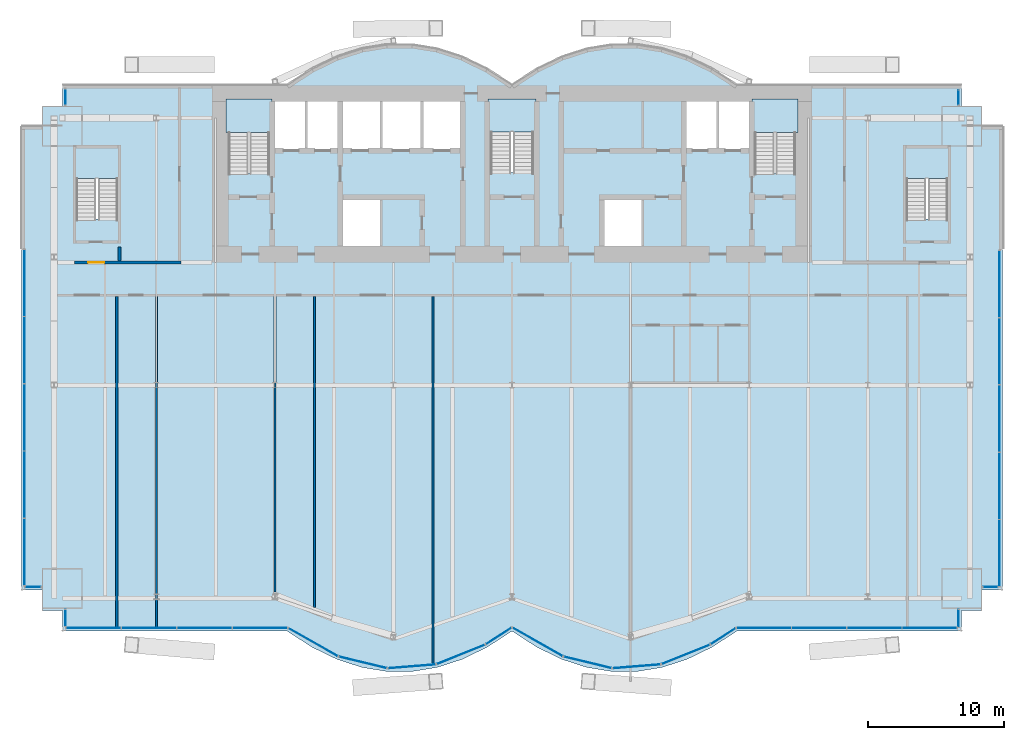
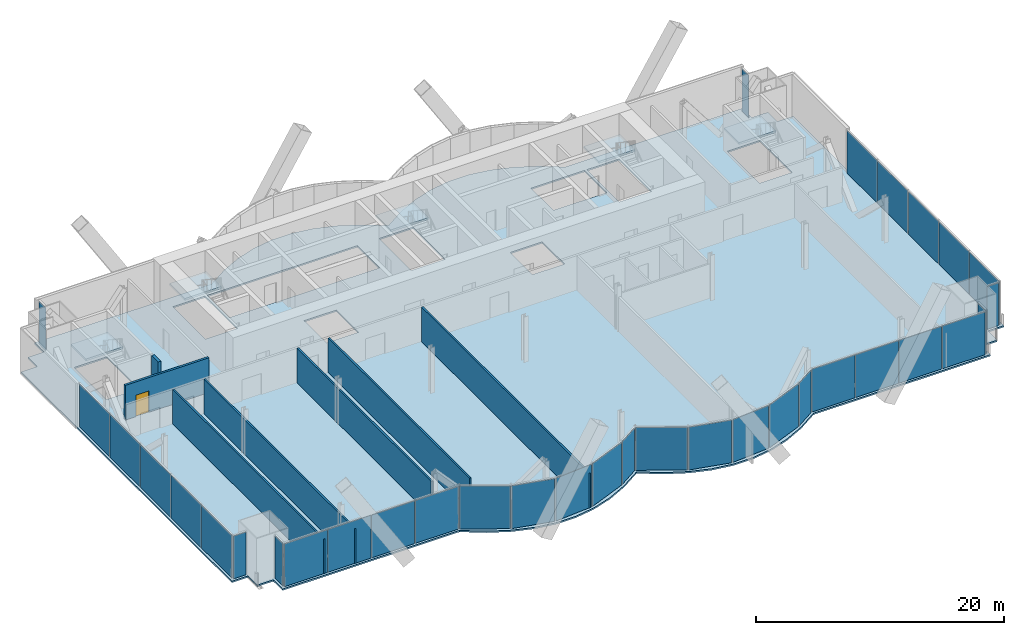
# One storey, part 15 of 22: 34 plates, 7 walls, 6 slabs, 1 door, 1 opening, 17 elements without a shape of their own.
"""IFC4 building model written with IfcOpenShell, lengths in metres."""

from ifc_helpers import new_model, si_unit, direction, frame, frame_2d, origin, origin_2d, place, context, subcontext, project, spatial, polyline, rectangle, outline, extrude, material, layer, layer_set, type_object, element, fill, aggregate, save


model = new_model("IFC4")

# Units and contexts
model_context = context("Model", 3, precision=1e-05, world=origin(), true_north=direction((0.0, 1.0)))
body_context = subcontext(model_context, "Body", "Model", "MODEL_VIEW")
ifc_project = project(units=[si_unit("LENGTHUNIT", "METRE"), si_unit("AREAUNIT", "SQUARE_METRE"), si_unit("VOLUMEUNIT", "CUBIC_METRE"), si_unit("PLANEANGLEUNIT", "RADIAN"), si_unit("MASSUNIT", "GRAM", prefix="KILO")], contexts=[model_context])

# Site, building, storey
site_placement = place(None, origin())
site = spatial("IfcSite", under=ifc_project, at=site_placement, CompositionType="ELEMENT")
building_placement = place(site_placement, origin())
building = spatial("IfcBuilding", under=site, at=building_placement, Name="Bicima Exchange Tower", CompositionType="ELEMENT")
storey_placement = place(building_placement, frame((0.0, 0.0, 71.0)))
storey = spatial("IfcBuildingStorey", under=building, at=storey_placement, Name="L14", CompositionType="ELEMENT", Elevation=71.0)

# Slab
ifc_material_1 = material(Name="Concrete C40/50", Category="concrete")
ifc_layer_1 = layer(ifc_material_1, 0.14990234375)
ifc_layer_set_1 = layer_set([ifc_layer_1], Name="Concrete C40/50")
slab_type_1 = type_object("IfcSlabType", Name="Composite floor slab 150", PredefinedType="FLOOR", material=ifc_layer_set_1)
slab_1_placement = place(storey_placement, frame((0.0, 0.0, -0.14990234375)))
element("IfcSlab", 1, at=slab_1_placement, inside=storey, type_object=slab_type_1, Name="Floor slab", PredefinedType="FLOOR", context=body_context, shape_type="SweptSolid", body=[
    extrude(outline(polyline([(-36.0, -37.048095703125), (-36.0, -3.0), (-34.5, -3.0), (-34.5, -1.5), (-33.0, -1.5), (-33.0, 0.0), (-16.5, 0.0), (-14.666748046875, 1.185302734375), (-12.833251953125, 2.07421875), (-11.0, 2.666748046875), (-9.166748046875, 2.962890625), (-7.333251953125, 2.962890625), (-5.5, 2.666748046875), (-3.666748046875, 2.07421875), (-1.833251953125, 1.185302734375), (0.0, 0.0), (1.833251953125, 1.185302734375), (3.666748046875, 2.07421875), (5.5, 2.666748046875), (7.333251953125, 2.962890625), (9.166748046875, 2.962890625), (11.0, 2.666748046875), (12.833251953125, 2.07421875), (14.666748046875, 1.185302734375), (16.5, 0.0), (33.0, 0.0), (33.0, -1.5), (34.5, -1.5), (34.5, -3.0), (36.0, -3.0), (36.0, -37.048095703125), (34.5, -37.048095703125), (34.5, -38.548095703125), (33.0, -38.548095703125), (33.0, -40.048095703125), (16.5, -40.048095703125), (14.666748046875, -41.233154296875), (12.833251953125, -42.1220703125), (11.0, -42.714599609375), (9.166748046875, -43.010986328125), (7.333251953125, -43.010986328125), (5.5, -42.714599609375), (3.666748046875, -42.1220703125), (1.833251953125, -41.233154296875), (0.0, -40.048095703125), (-1.833251953125, -41.233154296875), (-3.666748046875, -42.1220703125), (-5.5, -42.714599609375), (-7.333251953125, -43.010986328125), (-9.166748046875, -43.010986328125), (-11.0, -42.714599609375), (-12.833251953125, -42.1220703125), (-14.666748046875, -41.233154296875), (-16.5, -40.048095703125), (-33.0, -40.048095703125), (-33.0, -38.548095703125), (-34.5, -38.548095703125), (-34.5, -37.048095703125), (-36.0, -37.048095703125)]), holes=[polyline([(-9.60009765625, -11.800048828125), (-9.60009765625, -8.199951171875), (-12.60009765625, -8.199951171875), (-12.60009765625, -11.800048828125), (-9.60009765625, -11.800048828125)]), polyline([(-31.97509765625, -9.824951171875), (-28.925048828125, -9.824951171875), (-28.925048828125, -4.625), (-31.97509765625, -4.625), (-31.97509765625, -9.824951171875)]), polyline([(-20.800048828125, -6.449951171875), (-17.800048828125, -6.449951171875), (-17.800048828125, -1.199951171875), (-20.800048828125, -1.199951171875), (-20.800048828125, -6.449951171875)]), polyline([(-9.60009765625, -1.199951171875), (-12.60009765625, -1.199951171875), (-15.10009765625, -1.199951171875), (-17.60009765625, -1.199951171875), (-17.60009765625, -4.800048828125), (-15.10009765625, -4.800048828125), (-12.60009765625, -4.800048828125), (-9.60009765625, -4.800048828125), (-6.60009765625, -4.800048828125), (-3.60009765625, -4.800048828125), (-3.60009765625, -1.199951171875), (-6.60009765625, -1.199951171875), (-9.60009765625, -1.199951171875)]), polyline([(9.60009765625, -11.800048828125), (9.60009765625, -8.199951171875), (6.60009765625, -8.199951171875), (6.60009765625, -11.800048828125), (9.60009765625, -11.800048828125)]), polyline([(28.925048828125, -9.824951171875), (31.97509765625, -9.824951171875), (31.97509765625, -4.625), (28.925048828125, -4.625), (28.925048828125, -9.824951171875)]), polyline([(17.800048828125, -6.449951171875), (20.800048828125, -6.449951171875), (20.800048828125, -1.199951171875), (17.800048828125, -1.199951171875), (17.800048828125, -6.449951171875)]), polyline([(-1.574951171875, -6.39990234375), (1.574951171875, -6.39990234375), (1.574951171875, -1.199951171875), (-1.574951171875, -1.199951171875), (-1.574951171875, -6.39990234375)]), polyline([(17.60009765625, -4.800048828125), (17.60009765625, -1.199951171875), (15.10009765625, -1.199951171875), (12.60009765625, -1.199951171875), (12.60009765625, -4.800048828125), (15.10009765625, -4.800048828125), (17.60009765625, -4.800048828125)])]), origin(), (0.0, 0.0, 1.0), 0.14990234375),
])

# Curtain wall, plates
ifc_material_2 = material(Name="Anodised bronze aluminium", Category="aluminium")
curtain_wall_type_1 = type_object("IfcCurtainWallType", Name="End face glass wall", PredefinedType="NOTDEFINED", material=ifc_material_2)
curtain_wall_1_placement = place(storey_placement, origin())
curtain_wall_1 = element("IfcCurtainWall", 2, at=curtain_wall_1_placement, inside=storey, type_object=curtain_wall_type_1, Name="End face glass wall L14 run 2", PredefinedType="NOTDEFINED")
ifc_material_3 = material(Name="Bronze tinted glass", Category="glass")
ifc_layer_2 = layer(ifc_material_3, 0.031982421875)
ifc_layer_set_2 = layer_set([ifc_layer_2], Name="Bronze tinted glass")
plate_type_1 = type_object("IfcPlateType", Name="End face glass wall glass panel 32", PredefinedType="CURTAIN_PANEL", material=ifc_layer_set_2)
plate_1_placement = place(storey_placement, frame((-35.77001953125, -19.433349609375, 0.0), z_axis=(0.0, 0.0, 1.0), x_axis=(0.0, -1.0, 0.0)))
plate_1 = element("IfcPlate", 3, at=plate_1_placement, type_object=plate_type_1, Name="End face glass wall panel 2.1", PredefinedType="CURTAIN_PANEL", context=body_context, shape_type="SweptSolid", body=[
    extrude(rectangle(XDim=4.87548828125, YDim=0.031982421875, at=origin_2d()), origin(), (0.0, 0.0, 1.0), 4.2099609375),
])
plate_2_placement = place(storey_placement, frame((-35.77001953125, -34.240234375, 0.0), z_axis=(0.0, 0.0, 1.0), x_axis=(0.0, -1.0, 0.0)))
plate_2 = element("IfcPlate", 4, at=plate_2_placement, type_object=plate_type_1, Name="End face glass wall panel 5.1", PredefinedType="CURTAIN_PANEL", context=body_context, shape_type="SweptSolid", body=[
    extrude(rectangle(XDim=4.87548828125, YDim=0.031982421875, at=origin_2d()), origin(), (0.0, 0.0, 1.0), 4.2099609375),
])

curtain_wall_2_placement = place(storey_placement, origin())
curtain_wall_2 = element("IfcCurtainWall", 5, at=curtain_wall_2_placement, inside=storey, type_object=curtain_wall_type_1, Name="End face glass wall L14 run 19", PredefinedType="NOTDEFINED")
plate_3_placement = place(storey_placement, frame((35.77001953125, -34.3203125, 0.0), z_axis=(0.0, 0.0, 1.0), x_axis=(0.0, 1.0, 0.0)))
plate_3 = element("IfcPlate", 6, at=plate_3_placement, type_object=plate_type_1, Name="End face glass wall panel 1.1", PredefinedType="CURTAIN_PANEL", context=body_context, shape_type="SweptSolid", body=[
    extrude(rectangle(XDim=4.87548828125, YDim=0.031982421875, at=origin_2d()), origin(), (0.0, 0.0, 1.0), 4.2099609375),
])
plate_4_placement = place(storey_placement, frame((35.77001953125, -19.513427734375, 0.0), z_axis=(0.0, 0.0, 1.0), x_axis=(0.0, 1.0, 0.0)))
plate_4 = element("IfcPlate", 7, at=plate_4_placement, type_object=plate_type_1, Name="End face glass wall panel 4.1", PredefinedType="CURTAIN_PANEL", context=body_context, shape_type="SweptSolid", body=[
    extrude(rectangle(XDim=4.87548828125, YDim=0.031982421875, at=origin_2d()), origin(), (0.0, 0.0, 1.0), 4.2099609375),
])

# Plate
ifc_material_4 = material(Name="Bronze anodised aluminium", Category="aluminium")
ifc_layer_3 = layer(ifc_material_4, 0.031982421875)
ifc_layer_set_3 = layer_set([ifc_layer_3], Name="Bronze anodised aluminium")
plate_type_2 = type_object("IfcPlateType", Name="End face glass wall spandrel panel 32", PredefinedType="CURTAIN_PANEL", material=ifc_layer_set_3)
plate_5_placement = place(storey_placement, frame((-35.77001953125, -14.497802734375, 0.0), z_axis=(0.0, 0.0, 1.0), x_axis=(0.0, -1.0, 0.0)))
plate_5 = element("IfcPlate", 8, at=plate_5_placement, type_object=plate_type_2, Name="End face spandrel wall panel 1.1", PredefinedType="CURTAIN_PANEL", context=body_context, shape_type="SweptSolid", body=[
    extrude(rectangle(XDim=4.87548828125, YDim=0.031982421875, at=origin_2d()), origin(), (0.0, 0.0, 1.0), 4.2099609375),
])

plate_6_placement = place(storey_placement, frame((-35.77001953125, -24.368896484375, 0.0), z_axis=(0.0, 0.0, 1.0), x_axis=(0.0, -1.0, 0.0)))
plate_6 = element("IfcPlate", 9, at=plate_6_placement, type_object=plate_type_2, Name="End face spandrel wall panel 3.1", PredefinedType="CURTAIN_PANEL", context=body_context, shape_type="SweptSolid", body=[
    extrude(rectangle(XDim=4.87548828125, YDim=0.031982421875, at=origin_2d()), origin(), (0.0, 0.0, 1.0), 4.2099609375),
])

plate_7_placement = place(storey_placement, frame((-35.77001953125, -29.3046875, 0.0), z_axis=(0.0, 0.0, 1.0), x_axis=(0.0, -1.0, 0.0)))
plate_7 = element("IfcPlate", 10, at=plate_7_placement, type_object=plate_type_2, Name="End face spandrel wall panel 4.1", PredefinedType="CURTAIN_PANEL", context=body_context, shape_type="SweptSolid", body=[
    extrude(rectangle(XDim=4.87548828125, YDim=0.031982421875, at=origin_2d()), origin(), (0.0, 0.0, 1.0), 4.2099609375),
])

aggregate(curtain_wall_1, [plate_5, plate_1, plate_6, plate_7, plate_2])

plate_8_placement = place(storey_placement, frame((35.77001953125, -29.384521484375, 0.0), z_axis=(0.0, 0.0, 1.0), x_axis=(0.0, 1.0, 0.0)))
plate_8 = element("IfcPlate", 11, at=plate_8_placement, type_object=plate_type_2, Name="End face spandrel wall panel 2.1", PredefinedType="CURTAIN_PANEL", context=body_context, shape_type="SweptSolid", body=[
    extrude(rectangle(XDim=4.87548828125, YDim=0.031982421875, at=origin_2d()), origin(), (0.0, 0.0, 1.0), 4.2099609375),
])

plate_9_placement = place(storey_placement, frame((35.77001953125, -24.448974609375, 0.0), z_axis=(0.0, 0.0, 1.0), x_axis=(0.0, 1.0, 0.0)))
plate_9 = element("IfcPlate", 12, at=plate_9_placement, type_object=plate_type_2, Name="End face spandrel wall panel 3.1", PredefinedType="CURTAIN_PANEL", context=body_context, shape_type="SweptSolid", body=[
    extrude(rectangle(XDim=4.87548828125, YDim=0.031982421875, at=origin_2d()), origin(), (0.0, 0.0, 1.0), 4.2099609375),
])

plate_10_placement = place(storey_placement, frame((35.77001953125, -14.577880859375, 0.0), z_axis=(0.0, 0.0, 1.0), x_axis=(0.0, 1.0, 0.0)))
plate_10 = element("IfcPlate", 13, at=plate_10_placement, type_object=plate_type_2, Name="End face spandrel wall panel 5.1", PredefinedType="CURTAIN_PANEL", context=body_context, shape_type="SweptSolid", body=[
    extrude(rectangle(XDim=4.87548828125, YDim=0.031982421875, at=origin_2d()), origin(), (0.0, 0.0, 1.0), 4.2099609375),
])

aggregate(curtain_wall_2, [plate_3, plate_8, plate_9, plate_4, plate_10])

# Curtain wall, plate
curtain_wall_type_2 = type_object("IfcCurtainWallType", Name="Front glass wall", PredefinedType="NOTDEFINED", material=ifc_material_2)
curtain_wall_3_placement = place(storey_placement, origin())
curtain_wall_3 = element("IfcCurtainWall", 14, at=curtain_wall_3_placement, inside=storey, type_object=curtain_wall_type_2, Name="Front glass wall L14 run 1", PredefinedType="NOTDEFINED")
ifc_layer_4 = layer(ifc_material_3, 0.031982421875)
ifc_layer_set_4 = layer_set([ifc_layer_4], Name="Bronze tinted glass")
plate_type_3 = type_object("IfcPlateType", Name="Front glass wall glass panel 32", PredefinedType="CURTAIN_PANEL", material=ifc_layer_set_4)
plate_11_placement = place(storey_placement, frame((-32.77001953125, -0.864990234375, 0.0), z_axis=(0.0, 0.0, 1.0), x_axis=(0.0, -1.0, 0.0)))
plate_11 = element("IfcPlate", 15, at=plate_11_placement, type_object=plate_type_3, Name="Front glass wall panel 1.1", PredefinedType="CURTAIN_PANEL", context=body_context, shape_type="SweptSolid", body=[
    extrude(rectangle(XDim=1.14990234375, YDim=0.031982421875, at=origin_2d()), origin(), (0.0, 0.0, 1.0), 4.2099609375),
])
aggregate(curtain_wall_3, [plate_11])

curtain_wall_4_placement = place(storey_placement, origin())
curtain_wall_4 = element("IfcCurtainWall", 16, at=curtain_wall_4_placement, inside=storey, type_object=curtain_wall_type_2, Name="Front glass wall L14 run 3", PredefinedType="NOTDEFINED")
plate_12_placement = place(storey_placement, frame((-35.135009765625, -36.818115234375, 0.0), z_axis=(0.0, 0.0, 1.0), x_axis=(1.0, 0.0, 0.0)))
plate_12 = element("IfcPlate", 17, at=plate_12_placement, type_object=plate_type_3, Name="Front glass wall panel 1.1", PredefinedType="CURTAIN_PANEL", context=body_context, shape_type="SweptSolid", body=[
    extrude(rectangle(XDim=1.14990234375, YDim=0.031982421875, at=origin_2d()), origin(), (0.0, 0.0, 1.0), 4.2099609375),
])
aggregate(curtain_wall_4, [plate_12])

curtain_wall_5_placement = place(storey_placement, origin())
curtain_wall_5 = element("IfcCurtainWall", 18, at=curtain_wall_5_placement, inside=storey, type_object=curtain_wall_type_2, Name="Front glass wall L14 run 4", PredefinedType="NOTDEFINED")
plate_13_placement = place(storey_placement, frame((-32.77001953125, -39.08203125, 0.0), z_axis=(0.0, 0.0, 1.0), x_axis=(0.0, -1.0, 0.0)))
plate_13 = element("IfcPlate", 19, at=plate_13_placement, type_object=plate_type_3, Name="Front glass wall panel 1.1", PredefinedType="CURTAIN_PANEL", context=body_context, shape_type="SweptSolid", body=[
    extrude(rectangle(XDim=1.19189453125, YDim=0.031982421875, at=origin_2d()), origin(), (0.0, 0.0, 1.0), 4.2099609375),
])
aggregate(curtain_wall_5, [plate_13])

# Curtain wall, plates
curtain_wall_6_placement = place(storey_placement, origin())
curtain_wall_6 = element("IfcCurtainWall", 20, at=curtain_wall_6_placement, inside=storey, type_object=curtain_wall_type_2, Name="Front glass wall L14 run 5", PredefinedType="NOTDEFINED")
plate_14_placement = place(storey_placement, frame((-30.705322265625, -39.818115234375, 0.0), z_axis=(0.0, 0.0, 1.0), x_axis=(1.0, 0.0, 0.0)))
plate_14 = element("IfcPlate", 21, at=plate_14_placement, type_object=plate_type_3, Name="Front glass wall panel 1.1", PredefinedType="CURTAIN_PANEL", context=body_context, shape_type="SweptSolid", body=[
    extrude(rectangle(XDim=4.009521484375, YDim=0.031982421875, at=origin_2d()), origin(), (0.0, 0.0, 1.0), 4.2099609375),
])
plate_15_placement = place(storey_placement, frame((-18.496826171875, -39.818115234375, 0.0), z_axis=(0.0, 0.0, 1.0), x_axis=(1.0, 0.0, 0.0)))
plate_15 = element("IfcPlate", 22, at=plate_15_placement, type_object=plate_type_3, Name="Front glass wall panel 4.1", PredefinedType="CURTAIN_PANEL", context=body_context, shape_type="SweptSolid", body=[
    extrude(rectangle(XDim=4.009521484375, YDim=0.031982421875, at=origin_2d()), origin(), (0.0, 0.0, 1.0), 4.2099609375),
])

curtain_wall_7_placement = place(storey_placement, origin())
curtain_wall_7 = element("IfcCurtainWall", 23, at=curtain_wall_7_placement, inside=storey, type_object=curtain_wall_type_2, Name="Front glass wall L14 run 6", PredefinedType="NOTDEFINED")
plate_16_placement = place(storey_placement, frame((-14.589599609375, -40.863037109375, 0.0), z_axis=(0.0, 0.0, 1.0), x_axis=(0.869805110681, -0.493395449343, 0.0)))
plate_16 = element("IfcPlate", 24, at=plate_16_placement, type_object=plate_type_3, Name="Front glass wall panel 1.1", PredefinedType="CURTAIN_PANEL", context=body_context, shape_type="SweptSolid", body=[
    extrude(rectangle(XDim=4.1162109375, YDim=0.031982421875, at=origin_2d()), origin(), (0.0, 0.0, 1.0), 4.2099609375),
])
plate_17_placement = place(storey_placement, frame((-3.750244140625, -41.761474609375, 0.0), z_axis=(0.0, 0.0, 1.0), x_axis=(0.92714396679, 0.374705304, 0.0)))
plate_17 = element("IfcPlate", 25, at=plate_17_placement, type_object=plate_type_3, Name="Front glass wall panel 1.1", PredefinedType="CURTAIN_PANEL", context=body_context, shape_type="SweptSolid", body=[
    extrude(rectangle(XDim=3.771240234375, YDim=0.031982421875, at=origin_2d()), origin(), (0.0, 0.0, 1.0), 4.2099609375),
])
plate_18_placement = place(storey_placement, frame((-0.97314453125, -40.4033203125, 0.0), z_axis=(0.0, 0.0, 1.0), x_axis=(0.839798994301, 0.542897457326, 0.0)))
plate_18 = element("IfcPlate", 26, at=plate_18_placement, type_object=plate_type_3, Name="Front glass wall panel 1.1", PredefinedType="CURTAIN_PANEL", context=body_context, shape_type="SweptSolid", body=[
    extrude(rectangle(XDim=2.197509765625, YDim=0.031982421875, at=origin_2d()), origin(), (0.0, 0.0, 1.0), 4.2099609375),
])

curtain_wall_8_placement = place(storey_placement, origin())
curtain_wall_8 = element("IfcCurtainWall", 27, at=curtain_wall_8_placement, inside=storey, type_object=curtain_wall_type_2, Name="Front glass wall L14 run 11", PredefinedType="NOTDEFINED")
plate_19_placement = place(storey_placement, frame((1.876220703125, -40.84130859375, 0.0), z_axis=(0.0, 0.0, 1.0), x_axis=(0.869274147378, -0.494330311331, 0.0)))
plate_19 = element("IfcPlate", 28, at=plate_19_placement, type_object=plate_type_3, Name="Front glass wall panel 1.1", PredefinedType="CURTAIN_PANEL", context=body_context, shape_type="SweptSolid", body=[
    extrude(rectangle(XDim=4.197021484375, YDim=0.031982421875, at=origin_2d()), origin(), (0.0, 0.0, 1.0), 4.2099609375),
])
plate_20_placement = place(storey_placement, frame((5.55224609375, -42.344482421875, 0.0), z_axis=(0.0, 0.0, 1.0), x_axis=(0.971830343553, -0.235681529503, 0.0)))
plate_20 = element("IfcPlate", 29, at=plate_20_placement, type_object=plate_type_3, Name="Front glass wall panel 1.1", PredefinedType="CURTAIN_PANEL", context=body_context, shape_type="SweptSolid", body=[
    extrude(rectangle(XDim=3.583251953125, YDim=0.031982421875, at=origin_2d()), origin(), (0.0, 0.0, 1.0), 4.2099609375),
])
plate_21_placement = place(storey_placement, frame((15.492919921875, -40.42529296875, 0.0), z_axis=(0.0, 0.0, 1.0), x_axis=(0.839791413941, 0.542909183079, 0.0)))
plate_21 = element("IfcPlate", 30, at=plate_21_placement, type_object=plate_type_3, Name="Front glass wall panel 1.1", PredefinedType="CURTAIN_PANEL", context=body_context, shape_type="SweptSolid", body=[
    extrude(rectangle(XDim=2.11669921875, YDim=0.031982421875, at=origin_2d()), origin(), (0.0, 0.0, 1.0), 4.2099609375),
])

curtain_wall_9_placement = place(storey_placement, origin())
curtain_wall_9 = element("IfcCurtainWall", 31, at=curtain_wall_9_placement, inside=storey, type_object=curtain_wall_type_2, Name="Front glass wall L14 run 16", PredefinedType="NOTDEFINED")
plate_22_placement = place(storey_placement, frame((18.48681640625, -39.818115234375, 0.0), z_axis=(0.0, 0.0, 1.0), x_axis=(1.0, 0.0, 0.0)))
plate_22 = element("IfcPlate", 32, at=plate_22_placement, type_object=plate_type_3, Name="Front glass wall panel 1.1", PredefinedType="CURTAIN_PANEL", context=body_context, shape_type="SweptSolid", body=[
    extrude(rectangle(XDim=3.989501953125, YDim=0.031982421875, at=origin_2d()), origin(), (0.0, 0.0, 1.0), 4.2099609375),
])
plate_23_placement = place(storey_placement, frame((30.63525390625, -39.818115234375, 0.0), z_axis=(0.0, 0.0, 1.0), x_axis=(1.0, 0.0, 0.0)))
plate_23 = element("IfcPlate", 33, at=plate_23_placement, type_object=plate_type_3, Name="Front glass wall panel 4.1", PredefinedType="CURTAIN_PANEL", context=body_context, shape_type="SweptSolid", body=[
    extrude(rectangle(XDim=3.989501953125, YDim=0.031982421875, at=origin_2d()), origin(), (0.0, 0.0, 1.0), 4.2099609375),
])

# Curtain wall, plate
curtain_wall_10_placement = place(storey_placement, origin())
curtain_wall_10 = element("IfcCurtainWall", 34, at=curtain_wall_10_placement, inside=storey, type_object=curtain_wall_type_2, Name="Front glass wall L14 run 17", PredefinedType="NOTDEFINED")
plate_24_placement = place(storey_placement, frame((32.77001953125, -39.1220703125, 0.0), z_axis=(0.0, 0.0, 1.0), x_axis=(0.0, 1.0, 0.0)))
plate_24 = element("IfcPlate", 35, at=plate_24_placement, type_object=plate_type_3, Name="Front glass wall panel 1.1", PredefinedType="CURTAIN_PANEL", context=body_context, shape_type="SweptSolid", body=[
    extrude(rectangle(XDim=1.27197265625, YDim=0.031982421875, at=origin_2d()), origin(), (0.0, 0.0, 1.0), 4.2099609375),
])
aggregate(curtain_wall_10, [plate_24])

curtain_wall_11_placement = place(storey_placement, origin())
curtain_wall_11 = element("IfcCurtainWall", 36, at=curtain_wall_11_placement, inside=storey, type_object=curtain_wall_type_2, Name="Front glass wall L14 run 18", PredefinedType="NOTDEFINED")
plate_25_placement = place(storey_placement, frame((35.094970703125, -36.818115234375, 0.0), z_axis=(0.0, 0.0, 1.0), x_axis=(1.0, 0.0, 0.0)))
plate_25 = element("IfcPlate", 37, at=plate_25_placement, type_object=plate_type_3, Name="Front glass wall panel 1.1", PredefinedType="CURTAIN_PANEL", context=body_context, shape_type="SweptSolid", body=[
    extrude(rectangle(XDim=1.070068359375, YDim=0.031982421875, at=origin_2d()), origin(), (0.0, 0.0, 1.0), 4.2099609375),
])
aggregate(curtain_wall_11, [plate_25])

curtain_wall_12_placement = place(storey_placement, origin())
curtain_wall_12 = element("IfcCurtainWall", 38, at=curtain_wall_12_placement, inside=storey, type_object=curtain_wall_type_2, Name="Front glass wall L14 run 20", PredefinedType="NOTDEFINED")
plate_26_placement = place(storey_placement, frame((32.77001953125, -0.905029296875, 0.0), z_axis=(0.0, 0.0, 1.0), x_axis=(0.0, 1.0, 0.0)))
plate_26 = element("IfcPlate", 39, at=plate_26_placement, type_object=plate_type_3, Name="Front glass wall panel 1.1", PredefinedType="CURTAIN_PANEL", context=body_context, shape_type="SweptSolid", body=[
    extrude(rectangle(XDim=1.070068359375, YDim=0.031982421875, at=origin_2d()), origin(), (0.0, 0.0, 1.0), 4.2099609375),
])
aggregate(curtain_wall_12, [plate_26])

# Plate
ifc_layer_5 = layer(ifc_material_4, 0.031982421875)
ifc_layer_set_5 = layer_set([ifc_layer_5], Name="Bronze anodised aluminium")
plate_type_4 = type_object("IfcPlateType", Name="Front glass wall spandrel panel 32", PredefinedType="CURTAIN_PANEL", material=ifc_layer_set_5)
plate_27_placement = place(storey_placement, frame((-26.6357421875, -39.818115234375, 0.0), z_axis=(0.0, 0.0, 1.0), x_axis=(1.0, 0.0, 0.0)))
plate_27 = element("IfcPlate", 40, at=plate_27_placement, type_object=plate_type_4, Name="Front spandrel wall panel 2.1", PredefinedType="CURTAIN_PANEL", context=body_context, shape_type="SweptSolid", body=[
    extrude(rectangle(XDim=4.009521484375, YDim=0.031982421875, at=origin_2d()), origin(), (0.0, 0.0, 1.0), 4.2099609375),
])

plate_28_placement = place(storey_placement, frame((-22.56640625, -39.818115234375, 0.0), z_axis=(0.0, 0.0, 1.0), x_axis=(1.0, 0.0, 0.0)))
plate_28 = element("IfcPlate", 41, at=plate_28_placement, type_object=plate_type_4, Name="Front spandrel wall panel 3.1", PredefinedType="CURTAIN_PANEL", context=body_context, shape_type="SweptSolid", body=[
    extrude(rectangle(XDim=4.009521484375, YDim=0.031982421875, at=origin_2d()), origin(), (0.0, 0.0, 1.0), 4.2099609375),
])

aggregate(curtain_wall_6, [plate_14, plate_27, plate_28, plate_15])

plate_29_placement = place(storey_placement, frame((-10.94775390625, -42.344482421875, 0.0), z_axis=(0.0, 0.0, 1.0), x_axis=(0.971830343553, -0.235681529503, 0.0)))
plate_29 = element("IfcPlate", 42, at=plate_29_placement, type_object=plate_type_4, Name="Front spandrel wall panel 1.1", PredefinedType="CURTAIN_PANEL", context=body_context, shape_type="SweptSolid", body=[
    extrude(rectangle(XDim=3.583251953125, YDim=0.031982421875, at=origin_2d()), origin(), (0.0, 0.0, 1.0), 4.2099609375),
])

plate_30_placement = place(storey_placement, frame((-7.35107421875, -42.6357421875, 0.0), z_axis=(0.0, 0.0, 1.0), x_axis=(0.99674744821, 0.080588612633, 0.0)))
plate_30 = element("IfcPlate", 43, at=plate_30_placement, type_object=plate_type_4, Name="Front spandrel wall panel 1.1", PredefinedType="CURTAIN_PANEL", context=body_context, shape_type="SweptSolid", body=[
    extrude(rectangle(XDim=3.486083984375, YDim=0.031982421875, at=origin_2d()), origin(), (0.0, 0.0, 1.0), 4.2099609375),
])

aggregate(curtain_wall_7, [plate_16, plate_29, plate_30, plate_17, plate_18])

plate_31_placement = place(storey_placement, frame((9.14892578125, -42.6357421875, 0.0), z_axis=(0.0, 0.0, 1.0), x_axis=(0.99674744821, 0.080588612633, 0.0)))
plate_31 = element("IfcPlate", 44, at=plate_31_placement, type_object=plate_type_4, Name="Front spandrel wall panel 1.1", PredefinedType="CURTAIN_PANEL", context=body_context, shape_type="SweptSolid", body=[
    extrude(rectangle(XDim=3.486083984375, YDim=0.031982421875, at=origin_2d()), origin(), (0.0, 0.0, 1.0), 4.2099609375),
])

plate_32_placement = place(storey_placement, frame((12.749755859375, -41.761474609375, 0.0), z_axis=(0.0, 0.0, 1.0), x_axis=(0.92714396679, 0.374705304, 0.0)))
plate_32 = element("IfcPlate", 45, at=plate_32_placement, type_object=plate_type_4, Name="Front spandrel wall panel 1.1", PredefinedType="CURTAIN_PANEL", context=body_context, shape_type="SweptSolid", body=[
    extrude(rectangle(XDim=3.771240234375, YDim=0.031982421875, at=origin_2d()), origin(), (0.0, 0.0, 1.0), 4.2099609375),
])

aggregate(curtain_wall_8, [plate_19, plate_20, plate_31, plate_32, plate_21])

plate_33_placement = place(storey_placement, frame((22.536376953125, -39.818115234375, 0.0), z_axis=(0.0, 0.0, 1.0), x_axis=(1.0, 0.0, 0.0)))
plate_33 = element("IfcPlate", 46, at=plate_33_placement, type_object=plate_type_4, Name="Front spandrel wall panel 2.1", PredefinedType="CURTAIN_PANEL", context=body_context, shape_type="SweptSolid", body=[
    extrude(rectangle(XDim=3.989501953125, YDim=0.031982421875, at=origin_2d()), origin(), (0.0, 0.0, 1.0), 4.2099609375),
])

plate_34_placement = place(storey_placement, frame((26.585693359375, -39.818115234375, 0.0), z_axis=(0.0, 0.0, 1.0), x_axis=(1.0, 0.0, 0.0)))
plate_34 = element("IfcPlate", 47, at=plate_34_placement, type_object=plate_type_4, Name="Front spandrel wall panel 3.1", PredefinedType="CURTAIN_PANEL", context=body_context, shape_type="SweptSolid", body=[
    extrude(rectangle(XDim=3.989501953125, YDim=0.031982421875, at=origin_2d()), origin(), (0.0, 0.0, 1.0), 4.2099609375),
])

aggregate(curtain_wall_9, [plate_22, plate_33, plate_34, plate_23])

# Stair, slab
ifc_material_5 = material(Name="Concrete C50/60", Category="concrete")
stair_type_1 = type_object("IfcStairType", Name="Exit stair", PredefinedType="HALF_TURN_STAIR", material=ifc_material_5)
stair_1_placement = place(storey_placement, origin())
stair_1 = element("IfcStair", 48, at=stair_1_placement, inside=storey, type_object=stair_type_1, Name="L14 West exit stair", PredefinedType="HALF_TURN_STAIR")
ifc_layer_6 = layer(ifc_material_5, 0.199951171875)
ifc_layer_set_6 = layer_set([ifc_layer_6], Name="Concrete C50/60")
slab_type_2 = type_object("IfcSlabType", Name="Stair landing slab", PredefinedType="LANDING", material=ifc_layer_set_6)
slab_2_placement = place(storey_placement, frame((0.0, 0.0, 2.050048828125)))
slab_2 = element("IfcSlab", 49, at=slab_2_placement, type_object=slab_type_2, Name="ST-W landing 1", PredefinedType="LANDING", context=body_context, shape_type="SweptSolid", body=[
    extrude(outline(polyline([(-17.60009765625, -3.469970703125), (-17.60009765625, -1.0), (-21.0, -1.0), (-21.0, -3.469970703125), (-17.60009765625, -3.469970703125)])), origin(), (0.0, 0.0, 1.0), 0.199951171875),
])
aggregate(stair_1, [slab_2])

stair_type_2 = type_object("IfcStairType", Name="Exit stair 1500", PredefinedType="HALF_TURN_STAIR", material=ifc_material_5)
stair_2_placement = place(storey_placement, origin())
stair_2 = element("IfcStair", 50, at=stair_2_placement, inside=storey, type_object=stair_type_2, Name="L14 Central exit stair", PredefinedType="HALF_TURN_STAIR")
slab_3_placement = place(storey_placement, frame((0.0, 0.0, 2.050048828125)))
slab_3 = element("IfcSlab", 51, at=slab_3_placement, type_object=slab_type_2, Name="ST-C landing 1", PredefinedType="LANDING", context=body_context, shape_type="SweptSolid", body=[
    extrude(outline(polyline([(1.77490234375, -3.419921875), (1.77490234375, -1.0), (-1.77490234375, -1.0), (-1.77490234375, -3.419921875), (1.77490234375, -3.419921875)])), origin(), (0.0, 0.0, 1.0), 0.199951171875),
])
aggregate(stair_2, [slab_3])

stair_3_placement = place(storey_placement, origin())
stair_3 = element("IfcStair", 52, at=stair_3_placement, inside=storey, type_object=stair_type_1, Name="L14 East exit stair", PredefinedType="HALF_TURN_STAIR")
slab_4_placement = place(storey_placement, frame((0.0, 0.0, 2.050048828125)))
slab_4 = element("IfcSlab", 53, at=slab_4_placement, type_object=slab_type_2, Name="ST-E landing 1", PredefinedType="LANDING", context=body_context, shape_type="SweptSolid", body=[
    extrude(outline(polyline([(21.0, -3.469970703125), (21.0, -1.0), (17.60009765625, -1.0), (17.60009765625, -3.469970703125), (21.0, -3.469970703125)])), origin(), (0.0, 0.0, 1.0), 0.199951171875),
])
aggregate(stair_3, [slab_4])

stair_4_placement = place(storey_placement, origin())
stair_4 = element("IfcStair", 54, at=stair_4_placement, inside=storey, type_object=stair_type_1, Name="L14 West end exit stair", PredefinedType="HALF_TURN_STAIR")
slab_5_placement = place(storey_placement, frame((0.0, 0.0, 2.050048828125)))
slab_5 = element("IfcSlab", 55, at=slab_5_placement, type_object=slab_type_2, Name="ST-WW landing 1", PredefinedType="LANDING", context=body_context, shape_type="SweptSolid", body=[
    extrude(outline(polyline([(-28.72509765625, -6.844970703125), (-28.72509765625, -4.425048828125), (-32.175048828125, -4.425048828125), (-32.175048828125, -6.844970703125), (-28.72509765625, -6.844970703125)])), origin(), (0.0, 0.0, 1.0), 0.199951171875),
])
aggregate(stair_4, [slab_5])

stair_5_placement = place(storey_placement, origin())
stair_5 = element("IfcStair", 56, at=stair_5_placement, inside=storey, type_object=stair_type_1, Name="L14 East end exit stair", PredefinedType="HALF_TURN_STAIR")
slab_6_placement = place(storey_placement, frame((0.0, 0.0, 2.050048828125)))
slab_6 = element("IfcSlab", 57, at=slab_6_placement, type_object=slab_type_2, Name="ST-EE landing 1", PredefinedType="LANDING", context=body_context, shape_type="SweptSolid", body=[
    extrude(outline(polyline([(32.175048828125, -6.844970703125), (32.175048828125, -4.425048828125), (28.72509765625, -4.425048828125), (28.72509765625, -6.844970703125), (32.175048828125, -6.844970703125)])), origin(), (0.0, 0.0, 1.0), 0.199951171875),
])
aggregate(stair_5, [slab_6])

# Wall, opening, door
ifc_material_6 = material(Name="Gypsum board partition")
ifc_layer_7 = layer(ifc_material_6, 0.199951171875)
ifc_layer_set_7 = layer_set([ifc_layer_7], Name="Gypsum board partition")
wall_type_1 = type_object("IfcWallType", Name="Fire-rated gypsum partition 200 EI60", PredefinedType="PARTITIONING", material=ifc_layer_set_7)
wall_1_placement = place(storey_placement, frame((-32.10009765625, -13.0, 0.0), z_axis=(0.0, 0.0, 1.0), x_axis=(1.0, 0.0, 0.0)))
wall_1 = element("IfcWall", 58, at=wall_1_placement, inside=storey, type_object=wall_type_1, Name="partition wall 4", PredefinedType="PARTITIONING", context=body_context, shape_type="SweptSolid", body=[
    extrude(rectangle(XDim=7.800048828125, YDim=0.199951171875, at=frame_2d((3.89990234375, 0.0))), origin(), (0.0, 0.0, 1.0), 3.418212890625),
])
opening_placement = place(wall_1_placement, frame((1.0, 0.0, 0.0)))
opening = element("IfcOpeningElement", 59, at=opening_placement, cuts=wall_1, Name="Opening L14-001", PredefinedType="OPENING", context=body_context, shape_type="SweptSolid", body=[
    extrude(rectangle(XDim=1.199951171875, YDim=2.10009765625, at=frame_2d((0.60009765625, 1.050048828125))), frame((0.0, 0.11181640625, 0.0), z_axis=(0.0, -1.0, 0.0), x_axis=(1.0, 0.0, 0.0)), (0.0, 0.0, 1.0), 0.223876953125),
])
ifc_material_7 = material(Name="Steel fire door leaf", Category="steel")
door_type = type_object("IfcDoorType", Name="Door 1200 swing FD30S", OperationType="SINGLE_SWING_LEFT", PredefinedType="DOOR", material=ifc_material_7)
door_placement = place(opening_placement, origin())
door = element("IfcDoor", 60, at=door_placement, inside=storey, type_object=door_type, Name="Door", OperationType="SINGLE_SWING_LEFT", OverallHeight=2.10009765625, OverallWidth=1.199951171875, PredefinedType="DOOR", context=body_context, shape_type="SweptSolid", body=[
    extrude(rectangle(XDim=1.199951171875, YDim=2.10009765625, at=frame_2d((0.60009765625, 1.050048828125))), frame((0.0, 0.02490234375, 0.0), z_axis=(0.0, -1.0, 0.0), x_axis=(1.0, 0.0, 0.0)), (0.0, 0.0, 1.0), 0.050048828125),
])
fill(opening, door)

# Walls
ifc_layer_8 = layer(ifc_material_6, 0.14990234375)
ifc_layer_set_8 = layer_set([ifc_layer_8], Name="Gypsum board partition")
wall_type_2 = type_object("IfcWallType", Name="Gypsum partition 150", PredefinedType="PARTITIONING", material=ifc_layer_set_8)
for number, where, z_axis, x_axis, name in (
    (61, (-29.0, -39.840087890625, 0.0), (0.0, 0.0, 1.0), (0.0, 1.0, 0.0), "partition wall 13"),
    (62, (-26.10009765625, -39.840087890625, 0.0), (0.0, 0.0, 1.0), (0.0, 1.0, 0.0), "partition wall 15"),
):
    element("IfcWall", number, at=place(storey_placement, frame(where, z_axis=z_axis, x_axis=x_axis)), inside=storey, type_object=wall_type_2, Name=name, PredefinedType="PARTITIONING", context=body_context, shape_type="SweptSolid", body=[
        extrude(rectangle(XDim=24.340087890625, YDim=0.14990234375, at=frame_2d((12.169921875, 0.0))), origin(), (0.0, 0.0, 1.0), 3.418212890625),
    ])
wall_2_placement = place(storey_placement, frame((-17.39990234375, -37.16015625, 0.0), z_axis=(0.0, 0.0, 1.0), x_axis=(0.0, 1.0, 0.0)))
element("IfcWall", 63, at=wall_2_placement, inside=storey, type_object=wall_type_2, Name="partition wall 17", PredefinedType="PARTITIONING", context=body_context, shape_type="SweptSolid", body=[
    extrude(rectangle(XDim=21.66015625, YDim=0.14990234375, at=frame_2d((10.830078125, 0.0))), origin(), (0.0, 0.0, 1.0), 3.418212890625),
])
wall_3_placement = place(storey_placement, frame((-14.5, -38.31982421875, 0.0), z_axis=(0.0, 0.0, 1.0), x_axis=(0.0, 1.0, 0.0)))
element("IfcWall", 64, at=wall_3_placement, inside=storey, type_object=wall_type_2, Name="partition wall 18", PredefinedType="PARTITIONING", context=body_context, shape_type="SweptSolid", body=[
    extrude(rectangle(XDim=22.81982421875, YDim=0.14990234375, at=frame_2d((11.409912109375, 0.0))), origin(), (0.0, 0.0, 1.0), 3.418212890625),
])
wall_4_placement = place(storey_placement, frame((-5.800048828125, -42.550048828125, 0.0), z_axis=(0.0, 0.0, 1.0), x_axis=(0.0, 1.0, 0.0)))
element("IfcWall", 65, at=wall_4_placement, inside=storey, type_object=wall_type_2, Name="partition wall 19", PredefinedType="PARTITIONING", context=body_context, shape_type="SweptSolid", body=[
    extrude(rectangle(XDim=27.050048828125, YDim=0.14990234375, at=frame_2d((13.52490234375, 0.0))), origin(), (0.0, 0.0, 1.0), 3.418212890625),
])
ifc_layer_9 = layer(ifc_material_5, 0.25)
ifc_layer_set_9 = layer_set([ifc_layer_9], Name="Concrete C50/60")
wall_type_3 = type_object("IfcWallType", Name="RC core wall 250 C50/60", PredefinedType="SHEAR", material=ifc_layer_set_9)
wall_5_placement = place(storey_placement, frame((-28.800048828125, -12.89990234375, 0.0), z_axis=(0.0, 0.0, 1.0), x_axis=(0.0, 1.0, 0.0)))
element("IfcWall", 66, at=wall_5_placement, inside=storey, type_object=wall_type_3, Name="stair wall 14", PredefinedType="SHEAR", context=body_context, shape_type="SweptSolid", body=[
    extrude(rectangle(XDim=1.0498046875, YDim=0.25, at=frame_2d((0.52490234375, 0.0))), origin(), (0.0, 0.0, 1.0), 4.5),
])

save(model, "model.ifc")
